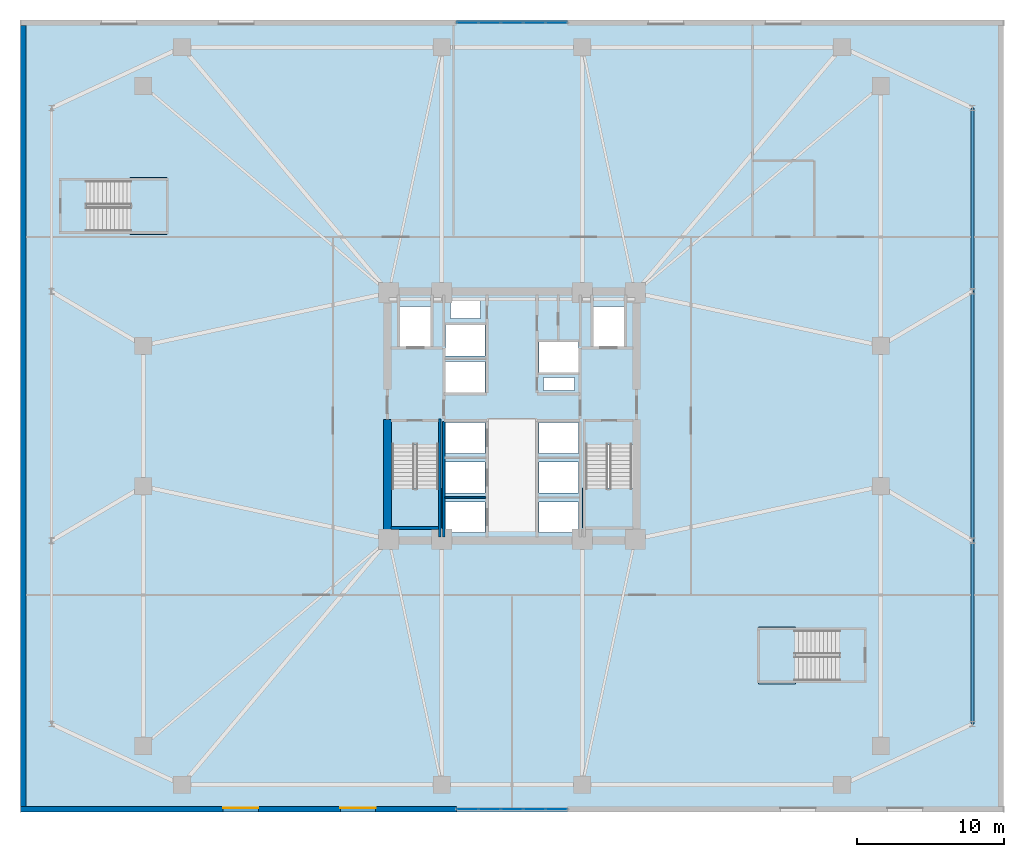
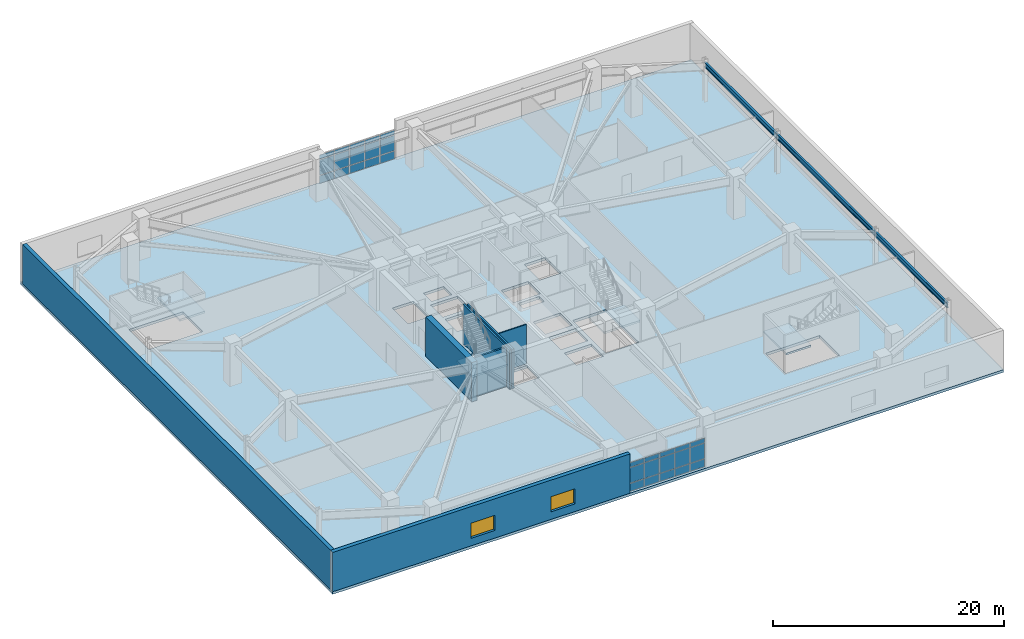
# One storey, part 10 of 21: 30 plates, 7 walls, 5 slabs, 3 beams, 2 windows, 2 openings, 6 elements without a shape of their own.
"""IFC4 building model written with IfcOpenShell, lengths in metres."""

import ifcopenshell
import ifcopenshell.guid

model = None  # the IFC model being written
_history = None  # IfcOwnerHistory: only IFC2X3 demands one
_inside = {}  # id of a spatial element -> (the spatial element, [elements in it])
_under = {}  # id of a project, library or spatial element -> (it, [spatial elements below it])
_declared = {}  # id of a project -> (the project, [libraries it declares])
_typed = {}  # id of a type object -> (the type object, [elements of that type])
_made_of = {}  # id of a material, layer set ... -> (it, [elements and type objects made of it])


def new_model(schema):
    """Start an empty IFC model of exactly this schema.

    Asked for "IFC4X3", IfcOpenShell would pick the latest addendum, in which some entities
    have other attributes; the version numbers below select the first issue.
    IFC2X3 requires an IfcOwnerHistory on every rooted entity: one is made here for all.
    """
    global model, _history
    if schema == "IFC4X3":
        model = ifcopenshell.file(schema_version=(4, 3, 0, 0))
    else:
        model = ifcopenshell.file(schema=schema)
    _inside.clear()
    _under.clear()
    _declared.clear()
    _typed.clear()
    _made_of.clear()
    _history = None
    if model.schema == "IFC2X3":
        org = make("IfcOrganization", Name="unknown")
        user = make(
            "IfcPersonAndOrganization",
            ThePerson=make("IfcPerson", FamilyName="unknown"),
            TheOrganization=org,
        )
        app = make(
            "IfcApplication",
            ApplicationDeveloper=org,
            Version="unknown",
            ApplicationFullName="unknown",
            ApplicationIdentifier="unknown",
        )
        _history = make(
            "IfcOwnerHistory",
            OwningUser=user,
            OwningApplication=app,
            ChangeAction="ADDED",
            CreationDate=0,
        )
    return model


def make(cls, **values):
    """One entity of the class cls with the attributes given. An attribute that is None is left unset."""
    return model.create_entity(
        cls, **{name: value for name, value in values.items() if value is not None}
    )


def rooted(cls, **values):
    """An entity with a GlobalId (a new one), such as an element, a storey or a relation."""
    return make(cls, GlobalId=ifcopenshell.guid.new(), OwnerHistory=_history, **values)


def si_unit(unit_type, name, prefix=None):
    """IfcSIUnit, for example si_unit("LENGTHUNIT", "METRE", prefix="MILLI")."""
    return make("IfcSIUnit", UnitType=unit_type, Prefix=prefix, Name=name)


def assignment(units):
    """IfcUnitAssignment: the units of a project."""
    return None if units is None else make("IfcUnitAssignment", Units=units)


def point(xyz):
    """IfcCartesianPoint."""
    return None if xyz is None else make("IfcCartesianPoint", Coordinates=xyz)


def direction(xyz):
    """IfcDirection."""
    return None if xyz is None else make("IfcDirection", DirectionRatios=xyz)


def frame(location, z_axis=None, x_axis=None):
    """IfcAxis2Placement3D, a coordinate frame: its origin and axes. An axis left out is left unset."""
    return make(
        "IfcAxis2Placement3D",
        Location=point(location),
        Axis=direction(z_axis),
        RefDirection=direction(x_axis),
    )


def frame_2d(location, x_axis=None):
    """IfcAxis2Placement2D, a coordinate frame in the plane: its origin and x axis."""
    return make(
        "IfcAxis2Placement2D", Location=point(location), RefDirection=direction(x_axis)
    )


def origin():
    """The frame at (0, 0, 0) with its axes left unset."""
    return frame((0.0, 0.0, 0.0))


def origin_2d():
    """The frame at (0, 0) in the plane with its x axis left unset."""
    return frame_2d((0.0, 0.0))


def place(relative_to, where):
    """IfcLocalPlacement: puts the frame where relative to a parent placement (None: the world)."""
    return make(
        "IfcLocalPlacement", PlacementRelTo=relative_to, RelativePlacement=where
    )


def context(
    kind, dimensions, precision=None, world=None, true_north=None, identifier=None
):
    """IfcGeometricRepresentationContext, for example the 3D "Model" context."""
    return make(
        "IfcGeometricRepresentationContext",
        ContextIdentifier=identifier,
        ContextType=kind,
        CoordinateSpaceDimension=dimensions,
        Precision=precision,
        WorldCoordinateSystem=world,
        TrueNorth=true_north,
    )


def subcontext(parent, identifier, kind, view, scale=None):
    """IfcGeometricRepresentationSubContext, for example "Body" below "Model"."""
    return make(
        "IfcGeometricRepresentationSubContext",
        ContextIdentifier=identifier,
        ContextType=kind,
        ParentContext=parent,
        TargetScale=scale,
        TargetView=view,
    )


def project(units=None, contexts=None):
    """IfcProject with its units and contexts."""
    return rooted(
        "IfcProject",
        Name="project",
        RepresentationContexts=contexts,
        UnitsInContext=assignment(units),
    )


def spatial(cls, under=None, at=None, **own):
    """A site, building, storey or space (cls), placed at a placement, below another one or the project."""
    s = rooted(cls, ObjectPlacement=at, **own)
    if under is not None:
        _under.setdefault(under.id(), (under, []))[1].append(s)
    return s


def polyline(points):
    """IfcPolyline through the points."""
    return make("IfcPolyline", Points=[point(p) for p in points])


def profile(cls, at=None, kind="AREA", **sizes):
    """A parametric profile (cls). Its sizes go by their IFC names, for example OverallWidth=200.0."""
    return make(cls, ProfileType=kind, Position=at, **sizes)


def rectangle(**sizes):
    """IfcRectangleProfileDef."""
    return profile("IfcRectangleProfileDef", **sizes)


def i_section(**sizes):
    """IfcIShapeProfileDef."""
    return profile("IfcIShapeProfileDef", **sizes)


def outline(outer, holes=None, kind="AREA"):
    """IfcArbitraryClosedProfileDef: a profile drawn as a closed curve; with holes, ...WithVoids."""
    if holes is None:
        return make("IfcArbitraryClosedProfileDef", ProfileType=kind, OuterCurve=outer)
    return make(
        "IfcArbitraryProfileDefWithVoids",
        ProfileType=kind,
        OuterCurve=outer,
        InnerCurves=holes,
    )


def extrude(swept, where, along, depth):
    """IfcExtrudedAreaSolid: the profile swept, set in the frame where, extruded along a direction by depth."""
    return make(
        "IfcExtrudedAreaSolid",
        SweptArea=swept,
        Position=where,
        ExtrudedDirection=direction(along),
        Depth=depth,
    )


def shape(context_of_items, identifier, shape_type, items):
    """IfcShapeRepresentation: the items that make up one representation, for example the "Body"."""
    return make(
        "IfcShapeRepresentation",
        ContextOfItems=context_of_items,
        RepresentationIdentifier=identifier,
        RepresentationType=shape_type,
        Items=items,
    )


def material(Name=None, Category=None):
    """IfcMaterial."""
    return make("IfcMaterial", Name=Name, Category=Category)


def layer(
    of_material, thickness, ventilated=None, Name=None, Category=None, Priority=None
):
    """IfcMaterialLayer: one layer of a wall or slab, of a material (None: an air gap)."""
    return make(
        "IfcMaterialLayer",
        Material=of_material,
        LayerThickness=thickness,
        IsVentilated=ventilated,
        Name=Name,
        Category=Category,
        Priority=Priority,
    )


def layer_set(layers, Name=None):
    """IfcMaterialLayerSet."""
    return make("IfcMaterialLayerSet", MaterialLayers=layers, LayerSetName=Name)


def material_profile(
    of_material, cross_section, Name=None, Category=None, Priority=None
):
    """IfcMaterialProfile: a cross section and its material."""
    return make(
        "IfcMaterialProfile",
        Name=Name,
        Material=of_material,
        Profile=cross_section,
        Priority=Priority,
        Category=Category,
    )


def profile_set(profiles, Name=None, composite=None):
    """IfcMaterialProfileSet."""
    return make(
        "IfcMaterialProfileSet",
        Name=Name,
        MaterialProfiles=profiles,
        CompositeProfile=composite,
    )


def made_of(thing, what):
    """Note that an element or type object is made of a material, layer set ...; save() writes the relation."""
    if what is not None:
        _made_of.setdefault(what.id(), (what, []))[1].append(thing)
    return thing


def type_object(cls, material=None, **own):
    """A type object (cls), such as IfcWallType, which elements share."""
    return made_of(rooted(cls, **own), material)


def element(
    cls,
    number,
    at=None,
    inside=None,
    cuts=None,
    type_object=None,
    material=None,
    context=None,
    identifier="Body",
    shape_type=None,
    held_by="IfcProductDefinitionShape",
    body=None,
    shapes=None,
    **own,
):
    """One element of the class cls, such as IfcWall. Its Tag is "e" and its number.

    at: its placement. inside: the storey or other place that contains it. cuts: it is an
    opening in that element (IfcRelVoidsElement). A single representation is given by context,
    identifier, shape_type and body (its items); several are given by shapes. held_by: the class
    of the entity that holds the representations. save() writes the other relations.
    """
    e = rooted(cls, Tag="e%d" % number, ObjectPlacement=at, **own)
    if body is not None:
        shapes = [shape(context, identifier, shape_type, body)]
    if shapes is not None:
        e.Representation = make(held_by, Representations=shapes)
    if inside is not None:
        _inside.setdefault(inside.id(), (inside, []))[1].append(e)
    if cuts is not None:
        rooted(
            "IfcRelVoidsElement", RelatingBuildingElement=cuts, RelatedOpeningElement=e
        )
    if type_object is not None:
        _typed.setdefault(type_object.id(), (type_object, []))[1].append(e)
    return made_of(e, material)


def fill(opening, filler):
    """IfcRelFillsElement: the door or window that sits in an opening."""
    return rooted(
        "IfcRelFillsElement",
        RelatingOpeningElement=opening,
        RelatedBuildingElement=filler,
    )


def aggregate(whole, parts):
    """IfcRelAggregates: a whole, such as a stair, and the parts it consists of."""
    return rooted("IfcRelAggregates", RelatingObject=whole, RelatedObjects=parts)


def save(model, path):
    """Write the relations noted so far, then the file.

    IfcRelAggregates (storeys below a building ...), IfcRelContainedInSpatialStructure (elements
    in a storey), IfcRelDefinesByType, IfcRelAssociatesMaterial and IfcRelDeclares: one each for
    every whole, place, type object, material and project.
    """
    for whole, parts in _under.values():
        aggregate(whole, parts)
    for where, things in _inside.values():
        rooted(
            "IfcRelContainedInSpatialStructure",
            RelatedElements=things,
            RelatingStructure=where,
        )
    for kind, things in _typed.values():
        rooted("IfcRelDefinesByType", RelatedObjects=things, RelatingType=kind)
    for what, things in _made_of.values():
        rooted("IfcRelAssociatesMaterial", RelatedObjects=things, RelatingMaterial=what)
    for by, libraries in _declared.values():
        rooted("IfcRelDeclares", RelatingContext=by, RelatedDefinitions=libraries)
    model.write(path)


model = new_model("IFC4")

# Units and contexts
model_context = context("Model", 3, precision=1e-05, world=origin(), true_north=direction((0.0, 1.0)))
body_context = subcontext(model_context, "Body", "Model", "MODEL_VIEW")
ifc_project = project(units=[si_unit("LENGTHUNIT", "METRE"), si_unit("AREAUNIT", "SQUARE_METRE"), si_unit("VOLUMEUNIT", "CUBIC_METRE"), si_unit("PLANEANGLEUNIT", "RADIAN"), si_unit("MASSUNIT", "GRAM", prefix="KILO")], contexts=[model_context])

# Site, building, storey
site_placement = place(None, origin())
site = spatial("IfcSite", under=ifc_project, at=site_placement, CompositionType="ELEMENT")
building_placement = place(site_placement, origin())
building = spatial("IfcBuilding", under=site, at=building_placement, Name="Cairnveth Concourse Tower", CompositionType="ELEMENT")
storey_placement = place(building_placement, frame((0.0, 0.0, 14.5)))
storey = spatial("IfcBuildingStorey", under=building, at=storey_placement, Name="L03", CompositionType="ELEMENT", Elevation=14.5)

# Beams
ifc_material_1 = material(Name="Steel Grade 350", Category="steel")
ifc_material_profile = material_profile(ifc_material_1, i_section(OverallWidth=0.208984375, OverallDepth=0.532958984375, WebThickness=0.01025390625, FlangeThickness=0.015625, FilletRadius=0.013916015625, at=origin_2d()), Name="530UB92.4")
ifc_profile_set = profile_set([ifc_material_profile], Name="Steel Grade 350")
beam_type = type_object("IfcBeamType", Name="PODIUM EDGE SPANDREL 530UB92.4", PredefinedType="SPANDREL", material=ifc_profile_set)
beam_1_placement = place(storey_placement, frame((83.39990234375, 18.0, 3.883544921875), z_axis=(0.0, 1.0, 0.0), x_axis=(-1.0, 0.0, 0.0)))
element("IfcBeam", 1, at=beam_1_placement, inside=storey, type_object=beam_type, Name="Beam PSP-E1 L03", PredefinedType="SPANDREL", context=body_context, shape_type="SweptSolid", body=[
    extrude(i_section(OverallWidth=0.208984375, OverallDepth=0.532958984375, WebThickness=0.01025390625, FlangeThickness=0.015625, FilletRadius=0.013916015625, at=origin_2d()), origin(), (0.0, 0.0, 1.0), 12.5),
])
beam_2_placement = place(storey_placement, frame((83.39990234375, 30.5, 3.883544921875), z_axis=(0.0, 1.0, 0.0), x_axis=(-1.0, 0.0, 0.0)))
element("IfcBeam", 2, at=beam_2_placement, inside=storey, type_object=beam_type, Name="Beam PSP-E2 L03", PredefinedType="SPANDREL", context=body_context, shape_type="SweptSolid", body=[
    extrude(i_section(OverallWidth=0.208984375, OverallDepth=0.532958984375, WebThickness=0.01025390625, FlangeThickness=0.015625, FilletRadius=0.013916015625, at=origin_2d()), origin(), (0.0, 0.0, 1.0), 17.0),
])
beam_3_placement = place(storey_placement, frame((83.39990234375, 47.5, 3.883544921875), z_axis=(0.0, 1.0, 0.0), x_axis=(-1.0, 0.0, 0.0)))
element("IfcBeam", 3, at=beam_3_placement, inside=storey, type_object=beam_type, Name="Beam PSP-E3 L03", PredefinedType="SPANDREL", context=body_context, shape_type="SweptSolid", body=[
    extrude(i_section(OverallWidth=0.208984375, OverallDepth=0.532958984375, WebThickness=0.01025390625, FlangeThickness=0.015625, FilletRadius=0.013916015625, at=origin_2d()), origin(), (0.0, 0.0, 1.0), 12.5),
])

# Slab
ifc_material_2 = material(Name="Concrete N50 (50 MPa)", Category="concrete")
ifc_layer_1 = layer(ifc_material_2, 0.280029296875)
ifc_layer_set_1 = layer_set([ifc_layer_1], Name="Concrete N50 (50 MPa)")
slab_type_1 = type_object("IfcSlabType", Name="BASEMENT SUSPENDED SLAB 280", PredefinedType="FLOOR", material=ifc_layer_set_1)
slab_1_placement = place(storey_placement, frame((0.0, 0.0, -0.280029296875)))
element("IfcSlab", 4, at=slab_1_placement, inside=storey, type_object=slab_type_1, Name="Podium Floor Slab L03", PredefinedType="FLOOR", context=body_context, shape_type="SweptSolid", body=[
    extrude(outline(polyline([(18.5, 12.0), (85.5, 12.0), (85.5, 66.0), (18.5, 66.0), (18.5, 12.0)]), holes=[polyline([(43.760009765625, 31.360107421875), (47.06005859375, 31.360107421875), (47.06005859375, 37.0400390625), (43.760009765625, 37.0400390625), (43.760009765625, 31.360107421875)]), polyline([(56.93994140625, 31.360107421875), (60.239990234375, 31.360107421875), (60.239990234375, 37.0400390625), (56.93994140625, 37.0400390625), (56.93994140625, 31.360107421875)]), polyline([(23.010009765625, 51.60009765625), (28.39990234375, 51.60009765625), (28.39990234375, 55.0400390625), (23.010009765625, 55.0400390625), (23.010009765625, 51.60009765625)]), polyline([(74.2900390625, 24.39990234375), (68.89990234375, 24.39990234375), (68.89990234375, 20.9599609375), (74.2900390625, 20.9599609375), (74.2900390625, 24.39990234375)]), polyline([(44.3701171875, 43.75), (46.469970703125, 43.75), (46.469970703125, 46.449951171875), (44.3701171875, 46.449951171875), (44.3701171875, 43.75)]), polyline([(57.530029296875, 43.75), (59.6298828125, 43.75), (59.6298828125, 46.449951171875), (57.530029296875, 46.449951171875), (57.530029296875, 43.75)]), polyline([(47.449951171875, 31.050048828125), (50.14990234375, 31.050048828125), (50.14990234375, 33.14990234375), (47.449951171875, 33.14990234375), (47.449951171875, 31.050048828125)]), polyline([(47.449951171875, 33.75), (50.14990234375, 33.75), (50.14990234375, 35.85009765625), (47.449951171875, 35.85009765625), (47.449951171875, 33.75)]), polyline([(47.449951171875, 36.449951171875), (50.14990234375, 36.449951171875), (50.14990234375, 38.550048828125), (47.449951171875, 38.550048828125), (47.449951171875, 36.449951171875)]), polyline([(53.85009765625, 31.050048828125), (56.550048828125, 31.050048828125), (56.550048828125, 33.14990234375), (53.85009765625, 33.14990234375), (53.85009765625, 31.050048828125)]), polyline([(53.85009765625, 33.75), (56.550048828125, 33.75), (56.550048828125, 35.85009765625), (53.85009765625, 35.85009765625), (53.85009765625, 33.75)]), polyline([(53.85009765625, 36.449951171875), (56.550048828125, 36.449951171875), (56.550048828125, 38.550048828125), (53.85009765625, 38.550048828125), (53.85009765625, 36.449951171875)]), polyline([(47.449951171875, 40.60009765625), (50.14990234375, 40.60009765625), (50.14990234375, 42.699951171875), (47.449951171875, 42.699951171875), (47.449951171875, 40.60009765625)]), polyline([(47.449951171875, 43.10009765625), (50.14990234375, 43.10009765625), (50.14990234375, 45.199951171875), (47.449951171875, 45.199951171875), (47.449951171875, 43.10009765625)]), polyline([(53.85009765625, 41.949951171875), (56.550048828125, 41.949951171875), (56.550048828125, 44.050048828125), (53.85009765625, 44.050048828125), (53.85009765625, 41.949951171875)]), polyline([(47.800048828125, 45.64990234375), (49.85009765625, 45.64990234375), (49.85009765625, 47.050048828125), (47.800048828125, 47.050048828125), (47.800048828125, 45.64990234375)]), polyline([(54.14990234375, 40.75), (56.25, 40.75), (56.25, 41.6201171875), (54.14990234375, 41.6201171875), (54.14990234375, 40.75)])]), origin(), (0.0, 0.0, 1.0), 0.280029296875),
])

# Curtain wall, plates
ifc_material_3 = material(Name="Architectural Bronze Anodised Aluminium 6063-T6", Category="aluminium")
ifc_layer_2 = layer(ifc_material_3, 0.340087890625)
ifc_layer_set_2 = layer_set([ifc_layer_2], Name="Architectural Bronze Anodised Aluminium 6063-T6")
curtain_wall_type = type_object("IfcCurtainWallType", Name="BALLROOM FOYER UNITISED CURTAIN WALL", PredefinedType="USERDEFINED", material=ifc_layer_set_2)
curtain_wall_1_placement = place(storey_placement, origin())
curtain_wall_1 = element("IfcCurtainWall", 5, at=curtain_wall_1_placement, inside=storey, type_object=curtain_wall_type, Name="Curtain Wall CW-L03-N1", ObjectType="UNITISED FACADE", PredefinedType="USERDEFINED")
ifc_material_4 = material(Name="Double Glazed Low-E Clear Glass", Category="glass")
ifc_layer_3 = layer(ifc_material_4, 0.028076171875)
ifc_layer_set_3 = layer_set([ifc_layer_3], Name="Double Glazed Low-E Clear Glass")
plate_type = type_object("IfcPlateType", Name="DOUBLE GLAZED LOW-E CURTAIN PANEL 28", PredefinedType="CURTAIN_PANEL", material=ifc_layer_set_3)
plate_1_placement = place(storey_placement, frame((48.96435546875, 65.81005859375, 0.06494140625), z_axis=(0.0, 0.0, 1.0), x_axis=(1.0, 0.0, 0.0)))
plate_1 = element("IfcPlate", 6, at=plate_1_placement, type_object=plate_type, Name="CWS3 panel 1.1", PredefinedType="CURTAIN_PANEL", context=body_context, shape_type="SweptSolid", body=[
    extrude(rectangle(XDim=1.428466796875, YDim=0.028076171875, at=origin_2d()), origin(), (0.0, 0.0, 1.0), 0.802490234375),
])
plate_2_placement = place(storey_placement, frame((48.96435546875, 65.81005859375, 0.9326171875), z_axis=(0.0, 0.0, 1.0), x_axis=(1.0, 0.0, 0.0)))
plate_2 = element("IfcPlate", 7, at=plate_2_placement, type_object=plate_type, Name="CWS3 panel 1.2", PredefinedType="CURTAIN_PANEL", context=body_context, shape_type="SweptSolid", body=[
    extrude(rectangle(XDim=1.428466796875, YDim=0.028076171875, at=origin_2d()), origin(), (0.0, 0.0, 1.0), 1.611083984375),
])
plate_3_placement = place(storey_placement, frame((48.96435546875, 65.81005859375, 2.6083984375), z_axis=(0.0, 0.0, 1.0), x_axis=(1.0, 0.0, 0.0)))
plate_3 = element("IfcPlate", 8, at=plate_3_placement, type_object=plate_type, Name="CWS3 panel 1.3", PredefinedType="CURTAIN_PANEL", context=body_context, shape_type="SweptSolid", body=[
    extrude(rectangle(XDim=1.428466796875, YDim=0.028076171875, at=origin_2d()), origin(), (0.0, 0.0, 1.0), 0.452392578125),
])
plate_4_placement = place(storey_placement, frame((50.47412109375, 65.81005859375, 0.06494140625), z_axis=(0.0, 0.0, 1.0), x_axis=(1.0, 0.0, 0.0)))
plate_4 = element("IfcPlate", 9, at=plate_4_placement, type_object=plate_type, Name="CWS3 panel 2.1", PredefinedType="CURTAIN_PANEL", context=body_context, shape_type="SweptSolid", body=[
    extrude(rectangle(XDim=1.4609375, YDim=0.028076171875, at=origin_2d()), origin(), (0.0, 0.0, 1.0), 0.802490234375),
])
plate_5_placement = place(storey_placement, frame((50.47412109375, 65.81005859375, 0.9326171875), z_axis=(0.0, 0.0, 1.0), x_axis=(1.0, 0.0, 0.0)))
plate_5 = element("IfcPlate", 10, at=plate_5_placement, type_object=plate_type, Name="CWS3 panel 2.2", PredefinedType="CURTAIN_PANEL", context=body_context, shape_type="SweptSolid", body=[
    extrude(rectangle(XDim=1.4609375, YDim=0.028076171875, at=origin_2d()), origin(), (0.0, 0.0, 1.0), 1.611083984375),
])
plate_6_placement = place(storey_placement, frame((50.47412109375, 65.81005859375, 2.6083984375), z_axis=(0.0, 0.0, 1.0), x_axis=(1.0, 0.0, 0.0)))
plate_6 = element("IfcPlate", 11, at=plate_6_placement, type_object=plate_type, Name="CWS3 panel 2.3", PredefinedType="CURTAIN_PANEL", context=body_context, shape_type="SweptSolid", body=[
    extrude(rectangle(XDim=1.4609375, YDim=0.028076171875, at=origin_2d()), origin(), (0.0, 0.0, 1.0), 0.452392578125),
])
plate_7_placement = place(storey_placement, frame((52.0, 65.81005859375, 0.06494140625), z_axis=(0.0, 0.0, 1.0), x_axis=(1.0, 0.0, 0.0)))
plate_7 = element("IfcPlate", 12, at=plate_7_placement, type_object=plate_type, Name="CWS3 panel 3.1", PredefinedType="CURTAIN_PANEL", context=body_context, shape_type="SweptSolid", body=[
    extrude(rectangle(XDim=1.4609375, YDim=0.028076171875, at=origin_2d()), origin(), (0.0, 0.0, 1.0), 0.802490234375),
])
plate_8_placement = place(storey_placement, frame((52.0, 65.81005859375, 0.9326171875), z_axis=(0.0, 0.0, 1.0), x_axis=(1.0, 0.0, 0.0)))
plate_8 = element("IfcPlate", 13, at=plate_8_placement, type_object=plate_type, Name="CWS3 panel 3.2", PredefinedType="CURTAIN_PANEL", context=body_context, shape_type="SweptSolid", body=[
    extrude(rectangle(XDim=1.4609375, YDim=0.028076171875, at=origin_2d()), origin(), (0.0, 0.0, 1.0), 1.611083984375),
])
plate_9_placement = place(storey_placement, frame((52.0, 65.81005859375, 2.6083984375), z_axis=(0.0, 0.0, 1.0), x_axis=(1.0, 0.0, 0.0)))
plate_9 = element("IfcPlate", 14, at=plate_9_placement, type_object=plate_type, Name="CWS3 panel 3.3", PredefinedType="CURTAIN_PANEL", context=body_context, shape_type="SweptSolid", body=[
    extrude(rectangle(XDim=1.4609375, YDim=0.028076171875, at=origin_2d()), origin(), (0.0, 0.0, 1.0), 0.452392578125),
])
plate_10_placement = place(storey_placement, frame((53.52587890625, 65.81005859375, 0.06494140625), z_axis=(0.0, 0.0, 1.0), x_axis=(1.0, 0.0, 0.0)))
plate_10 = element("IfcPlate", 15, at=plate_10_placement, type_object=plate_type, Name="CWS3 panel 4.1", PredefinedType="CURTAIN_PANEL", context=body_context, shape_type="SweptSolid", body=[
    extrude(rectangle(XDim=1.4609375, YDim=0.028076171875, at=origin_2d()), origin(), (0.0, 0.0, 1.0), 0.802490234375),
])
plate_11_placement = place(storey_placement, frame((53.52587890625, 65.81005859375, 0.9326171875), z_axis=(0.0, 0.0, 1.0), x_axis=(1.0, 0.0, 0.0)))
plate_11 = element("IfcPlate", 16, at=plate_11_placement, type_object=plate_type, Name="CWS3 panel 4.2", PredefinedType="CURTAIN_PANEL", context=body_context, shape_type="SweptSolid", body=[
    extrude(rectangle(XDim=1.4609375, YDim=0.028076171875, at=origin_2d()), origin(), (0.0, 0.0, 1.0), 1.611083984375),
])
plate_12_placement = place(storey_placement, frame((53.52587890625, 65.81005859375, 2.6083984375), z_axis=(0.0, 0.0, 1.0), x_axis=(1.0, 0.0, 0.0)))
plate_12 = element("IfcPlate", 17, at=plate_12_placement, type_object=plate_type, Name="CWS3 panel 4.3", PredefinedType="CURTAIN_PANEL", context=body_context, shape_type="SweptSolid", body=[
    extrude(rectangle(XDim=1.4609375, YDim=0.028076171875, at=origin_2d()), origin(), (0.0, 0.0, 1.0), 0.452392578125),
])
plate_13_placement = place(storey_placement, frame((55.03564453125, 65.81005859375, 0.06494140625), z_axis=(0.0, 0.0, 1.0), x_axis=(1.0, 0.0, 0.0)))
plate_13 = element("IfcPlate", 18, at=plate_13_placement, type_object=plate_type, Name="CWS3 panel 5.1", PredefinedType="CURTAIN_PANEL", context=body_context, shape_type="SweptSolid", body=[
    extrude(rectangle(XDim=1.428466796875, YDim=0.028076171875, at=origin_2d()), origin(), (0.0, 0.0, 1.0), 0.802490234375),
])
plate_14_placement = place(storey_placement, frame((55.03564453125, 65.81005859375, 0.9326171875), z_axis=(0.0, 0.0, 1.0), x_axis=(1.0, 0.0, 0.0)))
plate_14 = element("IfcPlate", 19, at=plate_14_placement, type_object=plate_type, Name="CWS3 panel 5.2", PredefinedType="CURTAIN_PANEL", context=body_context, shape_type="SweptSolid", body=[
    extrude(rectangle(XDim=1.428466796875, YDim=0.028076171875, at=origin_2d()), origin(), (0.0, 0.0, 1.0), 1.611083984375),
])
plate_15_placement = place(storey_placement, frame((55.03564453125, 65.81005859375, 2.6083984375), z_axis=(0.0, 0.0, 1.0), x_axis=(1.0, 0.0, 0.0)))
plate_15 = element("IfcPlate", 20, at=plate_15_placement, type_object=plate_type, Name="CWS3 panel 5.3", PredefinedType="CURTAIN_PANEL", context=body_context, shape_type="SweptSolid", body=[
    extrude(rectangle(XDim=1.428466796875, YDim=0.028076171875, at=origin_2d()), origin(), (0.0, 0.0, 1.0), 0.452392578125),
])
aggregate(curtain_wall_1, [plate_1, plate_2, plate_3, plate_4, plate_5, plate_6, plate_7, plate_8, plate_9, plate_10, plate_11, plate_12, plate_13, plate_14, plate_15])

curtain_wall_2_placement = place(storey_placement, origin())
curtain_wall_2 = element("IfcCurtainWall", 21, at=curtain_wall_2_placement, inside=storey, type_object=curtain_wall_type, Name="Curtain Wall CW-L03-S1", ObjectType="UNITISED FACADE", PredefinedType="USERDEFINED")
plate_16_placement = place(storey_placement, frame((55.03564453125, 12.18994140625, 0.06494140625), z_axis=(0.0, 0.0, 1.0), x_axis=(-1.0, 0.0, 0.0)))
plate_16 = element("IfcPlate", 22, at=plate_16_placement, type_object=plate_type, Name="CWS3 panel 1.1", PredefinedType="CURTAIN_PANEL", context=body_context, shape_type="SweptSolid", body=[
    extrude(rectangle(XDim=1.428466796875, YDim=0.028076171875, at=origin_2d()), origin(), (0.0, 0.0, 1.0), 0.802490234375),
])
plate_17_placement = place(storey_placement, frame((55.03564453125, 12.18994140625, 0.9326171875), z_axis=(0.0, 0.0, 1.0), x_axis=(-1.0, 0.0, 0.0)))
plate_17 = element("IfcPlate", 23, at=plate_17_placement, type_object=plate_type, Name="CWS3 panel 1.2", PredefinedType="CURTAIN_PANEL", context=body_context, shape_type="SweptSolid", body=[
    extrude(rectangle(XDim=1.428466796875, YDim=0.028076171875, at=origin_2d()), origin(), (0.0, 0.0, 1.0), 1.611083984375),
])
plate_18_placement = place(storey_placement, frame((55.03564453125, 12.18994140625, 2.6083984375), z_axis=(0.0, 0.0, 1.0), x_axis=(-1.0, 0.0, 0.0)))
plate_18 = element("IfcPlate", 24, at=plate_18_placement, type_object=plate_type, Name="CWS3 panel 1.3", PredefinedType="CURTAIN_PANEL", context=body_context, shape_type="SweptSolid", body=[
    extrude(rectangle(XDim=1.428466796875, YDim=0.028076171875, at=origin_2d()), origin(), (0.0, 0.0, 1.0), 0.452392578125),
])
plate_19_placement = place(storey_placement, frame((53.52587890625, 12.18994140625, 0.06494140625), z_axis=(0.0, 0.0, 1.0), x_axis=(-1.0, 0.0, 0.0)))
plate_19 = element("IfcPlate", 25, at=plate_19_placement, type_object=plate_type, Name="CWS3 panel 2.1", PredefinedType="CURTAIN_PANEL", context=body_context, shape_type="SweptSolid", body=[
    extrude(rectangle(XDim=1.4609375, YDim=0.028076171875, at=origin_2d()), origin(), (0.0, 0.0, 1.0), 0.802490234375),
])
plate_20_placement = place(storey_placement, frame((53.52587890625, 12.18994140625, 0.9326171875), z_axis=(0.0, 0.0, 1.0), x_axis=(-1.0, 0.0, 0.0)))
plate_20 = element("IfcPlate", 26, at=plate_20_placement, type_object=plate_type, Name="CWS3 panel 2.2", PredefinedType="CURTAIN_PANEL", context=body_context, shape_type="SweptSolid", body=[
    extrude(rectangle(XDim=1.4609375, YDim=0.028076171875, at=origin_2d()), origin(), (0.0, 0.0, 1.0), 1.611083984375),
])
plate_21_placement = place(storey_placement, frame((53.52587890625, 12.18994140625, 2.6083984375), z_axis=(0.0, 0.0, 1.0), x_axis=(-1.0, 0.0, 0.0)))
plate_21 = element("IfcPlate", 27, at=plate_21_placement, type_object=plate_type, Name="CWS3 panel 2.3", PredefinedType="CURTAIN_PANEL", context=body_context, shape_type="SweptSolid", body=[
    extrude(rectangle(XDim=1.4609375, YDim=0.028076171875, at=origin_2d()), origin(), (0.0, 0.0, 1.0), 0.452392578125),
])
plate_22_placement = place(storey_placement, frame((52.0, 12.18994140625, 0.06494140625), z_axis=(0.0, 0.0, 1.0), x_axis=(-1.0, 0.0, 0.0)))
plate_22 = element("IfcPlate", 28, at=plate_22_placement, type_object=plate_type, Name="CWS3 panel 3.1", PredefinedType="CURTAIN_PANEL", context=body_context, shape_type="SweptSolid", body=[
    extrude(rectangle(XDim=1.4609375, YDim=0.028076171875, at=origin_2d()), origin(), (0.0, 0.0, 1.0), 0.802490234375),
])
plate_23_placement = place(storey_placement, frame((52.0, 12.18994140625, 0.9326171875), z_axis=(0.0, 0.0, 1.0), x_axis=(-1.0, 0.0, 0.0)))
plate_23 = element("IfcPlate", 29, at=plate_23_placement, type_object=plate_type, Name="CWS3 panel 3.2", PredefinedType="CURTAIN_PANEL", context=body_context, shape_type="SweptSolid", body=[
    extrude(rectangle(XDim=1.4609375, YDim=0.028076171875, at=origin_2d()), origin(), (0.0, 0.0, 1.0), 1.611083984375),
])
plate_24_placement = place(storey_placement, frame((52.0, 12.18994140625, 2.6083984375), z_axis=(0.0, 0.0, 1.0), x_axis=(-1.0, 0.0, 0.0)))
plate_24 = element("IfcPlate", 30, at=plate_24_placement, type_object=plate_type, Name="CWS3 panel 3.3", PredefinedType="CURTAIN_PANEL", context=body_context, shape_type="SweptSolid", body=[
    extrude(rectangle(XDim=1.4609375, YDim=0.028076171875, at=origin_2d()), origin(), (0.0, 0.0, 1.0), 0.452392578125),
])
plate_25_placement = place(storey_placement, frame((50.47412109375, 12.18994140625, 0.06494140625), z_axis=(0.0, 0.0, 1.0), x_axis=(-1.0, 0.0, 0.0)))
plate_25 = element("IfcPlate", 31, at=plate_25_placement, type_object=plate_type, Name="CWS3 panel 4.1", PredefinedType="CURTAIN_PANEL", context=body_context, shape_type="SweptSolid", body=[
    extrude(rectangle(XDim=1.4609375, YDim=0.028076171875, at=origin_2d()), origin(), (0.0, 0.0, 1.0), 0.802490234375),
])
plate_26_placement = place(storey_placement, frame((50.47412109375, 12.18994140625, 0.9326171875), z_axis=(0.0, 0.0, 1.0), x_axis=(-1.0, 0.0, 0.0)))
plate_26 = element("IfcPlate", 32, at=plate_26_placement, type_object=plate_type, Name="CWS3 panel 4.2", PredefinedType="CURTAIN_PANEL", context=body_context, shape_type="SweptSolid", body=[
    extrude(rectangle(XDim=1.4609375, YDim=0.028076171875, at=origin_2d()), origin(), (0.0, 0.0, 1.0), 1.611083984375),
])
plate_27_placement = place(storey_placement, frame((50.47412109375, 12.18994140625, 2.6083984375), z_axis=(0.0, 0.0, 1.0), x_axis=(-1.0, 0.0, 0.0)))
plate_27 = element("IfcPlate", 33, at=plate_27_placement, type_object=plate_type, Name="CWS3 panel 4.3", PredefinedType="CURTAIN_PANEL", context=body_context, shape_type="SweptSolid", body=[
    extrude(rectangle(XDim=1.4609375, YDim=0.028076171875, at=origin_2d()), origin(), (0.0, 0.0, 1.0), 0.452392578125),
])
plate_28_placement = place(storey_placement, frame((48.96435546875, 12.18994140625, 0.06494140625), z_axis=(0.0, 0.0, 1.0), x_axis=(-1.0, 0.0, 0.0)))
plate_28 = element("IfcPlate", 34, at=plate_28_placement, type_object=plate_type, Name="CWS3 panel 5.1", PredefinedType="CURTAIN_PANEL", context=body_context, shape_type="SweptSolid", body=[
    extrude(rectangle(XDim=1.428466796875, YDim=0.028076171875, at=origin_2d()), origin(), (0.0, 0.0, 1.0), 0.802490234375),
])
plate_29_placement = place(storey_placement, frame((48.96435546875, 12.18994140625, 0.9326171875), z_axis=(0.0, 0.0, 1.0), x_axis=(-1.0, 0.0, 0.0)))
plate_29 = element("IfcPlate", 35, at=plate_29_placement, type_object=plate_type, Name="CWS3 panel 5.2", PredefinedType="CURTAIN_PANEL", context=body_context, shape_type="SweptSolid", body=[
    extrude(rectangle(XDim=1.428466796875, YDim=0.028076171875, at=origin_2d()), origin(), (0.0, 0.0, 1.0), 1.611083984375),
])
plate_30_placement = place(storey_placement, frame((48.96435546875, 12.18994140625, 2.6083984375), z_axis=(0.0, 0.0, 1.0), x_axis=(-1.0, 0.0, 0.0)))
plate_30 = element("IfcPlate", 36, at=plate_30_placement, type_object=plate_type, Name="CWS3 panel 5.3", PredefinedType="CURTAIN_PANEL", context=body_context, shape_type="SweptSolid", body=[
    extrude(rectangle(XDim=1.428466796875, YDim=0.028076171875, at=origin_2d()), origin(), (0.0, 0.0, 1.0), 0.452392578125),
])
aggregate(curtain_wall_2, [plate_16, plate_17, plate_18, plate_19, plate_20, plate_21, plate_22, plate_23, plate_24, plate_25, plate_26, plate_27, plate_28, plate_29, plate_30])

# Stair, slab
ifc_material_5 = material(Name="Precast concrete N50 (50 MPa)", Category="concrete")
stair_type_1 = type_object("IfcStairType", Name="CORE DOG-LEG FIRE STAIR 1500", PredefinedType="HALF_TURN_STAIR", material=ifc_material_5)
stair_1_placement = place(storey_placement, origin())
stair_1 = element("IfcStair", 37, at=stair_1_placement, inside=storey, type_object=stair_type_1, Name="L03 Fire-Isolated Stair ST-1", PredefinedType="HALF_TURN_STAIR")
ifc_layer_4 = layer(ifc_material_2, 0.199951171875)
ifc_layer_set_4 = layer_set([ifc_layer_4], Name="Concrete N50 (50 MPa)")
slab_type_2 = type_object("IfcSlabType", Name="STAIR HALF LANDING SLAB 200", PredefinedType="LANDING", material=ifc_layer_set_4)
slab_2_placement = place(storey_placement, frame((0.0, 0.0, 2.050048828125)))
slab_2 = element("IfcSlab", 38, at=slab_2_placement, type_object=slab_type_2, Name="ST-1 landing 1", PredefinedType="LANDING", context=body_context, shape_type="SweptSolid", body=[
    extrude(outline(polyline([(43.6201171875, 34.080078125), (43.6201171875, 31.3701171875), (47.199951171875, 31.3701171875), (47.199951171875, 34.080078125), (43.6201171875, 34.080078125)])), origin(), (0.0, 0.0, 1.0), 0.199951171875),
])
aggregate(stair_1, [slab_2])

stair_2_placement = place(storey_placement, origin())
stair_2 = element("IfcStair", 39, at=stair_2_placement, inside=storey, type_object=stair_type_1, Name="L03 Fire-Isolated Stair ST-2", PredefinedType="HALF_TURN_STAIR")
slab_3_placement = place(storey_placement, frame((0.0, 0.0, 2.050048828125)))
slab_3 = element("IfcSlab", 40, at=slab_3_placement, type_object=slab_type_2, Name="ST-2 landing 1", PredefinedType="LANDING", context=body_context, shape_type="SweptSolid", body=[
    extrude(outline(polyline([(56.800048828125, 34.080078125), (56.800048828125, 31.3701171875), (60.3798828125, 31.3701171875), (60.3798828125, 34.080078125), (56.800048828125, 34.080078125)])), origin(), (0.0, 0.0, 1.0), 0.199951171875),
])
aggregate(stair_2, [slab_3])

stair_type_2 = type_object("IfcStairType", Name="PODIUM ESCAPE DOG-LEG STAIR 1650", PredefinedType="HALF_TURN_STAIR", material=ifc_material_5)
stair_3_placement = place(storey_placement, origin())
stair_3 = element("IfcStair", 41, at=stair_3_placement, inside=storey, type_object=stair_type_2, Name="L03 Fire-Isolated Stair ST-P1", PredefinedType="HALF_TURN_STAIR")
slab_4_placement = place(storey_placement, frame((0.0, 0.0, 2.050048828125)))
slab_4 = element("IfcSlab", 42, at=slab_4_placement, type_object=slab_type_2, Name="ST-P1 landing 1", PredefinedType="LANDING", context=body_context, shape_type="SweptSolid", body=[
    extrude(outline(polyline([(25.969970703125, 51.3798828125), (28.47998046875, 51.3798828125), (28.47998046875, 55.260009765625), (25.969970703125, 55.260009765625), (25.969970703125, 51.3798828125)])), origin(), (0.0, 0.0, 1.0), 0.199951171875),
])
aggregate(stair_3, [slab_4])

stair_4_placement = place(storey_placement, origin())
stair_4 = element("IfcStair", 43, at=stair_4_placement, inside=storey, type_object=stair_type_2, Name="L03 Fire-Isolated Stair ST-P2", PredefinedType="HALF_TURN_STAIR")
slab_5_placement = place(storey_placement, frame((0.0, 0.0, 2.050048828125)))
slab_5 = element("IfcSlab", 44, at=slab_5_placement, type_object=slab_type_2, Name="ST-P2 landing 1", PredefinedType="LANDING", context=body_context, shape_type="SweptSolid", body=[
    extrude(outline(polyline([(71.330078125, 24.6201171875), (68.820068359375, 24.6201171875), (68.820068359375, 20.739990234375), (71.330078125, 20.739990234375), (71.330078125, 24.6201171875)])), origin(), (0.0, 0.0, 1.0), 0.199951171875),
])
aggregate(stair_4, [slab_5])

# Walls
ifc_material_6 = material(Name="Concrete N80 (80 MPa)", Category="concrete")
ifc_layer_5 = layer(ifc_material_6, 0.550048828125)
ifc_layer_set_5 = layer_set([ifc_layer_5], Name="Concrete N80 (80 MPa)")
wall_type_1 = type_object("IfcWallType", Name="CORE SHEAR WALL 550", PredefinedType="SHEAR", material=ifc_layer_set_5)
wall_1_placement = place(storey_placement, frame((43.5, 30.764892578125, 0.0), z_axis=(0.0, 0.0, 1.0), x_axis=(0.0, 1.0, 0.0)))
element("IfcWall", 45, at=wall_1_placement, inside=storey, type_object=wall_type_1, Name="Core West Shear Wall S L03", PredefinedType="SHEAR", context=body_context, shape_type="SweptSolid", body=[
    extrude(rectangle(XDim=7.985107421875, YDim=0.550048828125, at=frame_2d((3.99267578125, 0.0))), origin(), (0.0, 0.0, 1.0), 4.14990234375),
])
ifc_layer_6 = layer(ifc_material_2, 0.179931640625)
ifc_layer_set_6 = layer_set([ifc_layer_6], Name="Concrete N50 (50 MPa)")
wall_type_2 = type_object("IfcWallType", Name="FIRE SHAFT WALL 180", PredefinedType="SOLIDWALL", material=ifc_layer_set_6)
wall_2_placement = place(storey_placement, frame((47.35009765625, 30.760009765625, 0.0), z_axis=(0.0, 0.0, 1.0), x_axis=(0.0, 1.0, 0.0)))
element("IfcWall", 46, at=wall_2_placement, inside=storey, type_object=wall_type_2, Name="Interior Wall IW-L03-025", PredefinedType="SOLIDWALL", context=body_context, shape_type="SweptSolid", body=[
    extrude(rectangle(XDim=7.85498046875, YDim=0.179931640625, at=frame_2d((3.927490234375, 0.0))), origin(), (0.0, 0.0, 1.0), 4.14990234375),
])
wall_3_placement = place(storey_placement, frame((43.764892578125, 31.360107421875, 0.0), z_axis=(0.0, 0.0, 1.0), x_axis=(1.0, 0.0, 0.0)))
element("IfcWall", 47, at=wall_3_placement, inside=storey, type_object=wall_type_2, Name="Stair ST-1 Shaft Wall FAR L03", PredefinedType="SOLIDWALL", context=body_context, shape_type="SweptSolid", body=[
    extrude(rectangle(XDim=3.230224609375, YDim=0.179931640625, at=frame_2d((1.615234375, 0.0))), origin(), (0.0, 0.0, 1.0), 4.14990234375),
])
wall_4_placement = place(storey_placement, frame((47.070068359375, 38.780029296875, 0.0), z_axis=(0.0, 0.0, 1.0), x_axis=(0.0, -1.0, 0.0)))
element("IfcWall", 48, at=wall_4_placement, inside=storey, type_object=wall_type_2, Name="Stair ST-1 Shaft Wall RGHT L03", PredefinedType="SOLIDWALL", context=body_context, shape_type="SweptSolid", body=[
    extrude(rectangle(XDim=8.01708984375, YDim=0.179931640625, at=frame_2d((4.008544921875, 0.0))), origin(), (0.0, 0.0, 1.0), 4.14990234375),
])
ifc_material_7 = material(Name="Gypsum Plasterboard Partition", Category="gypsum")
ifc_layer_7 = layer(ifc_material_7, 0.110107421875)
ifc_layer_set_7 = layer_set([ifc_layer_7], Name="Gypsum Plasterboard Partition")
wall_type_3 = type_object("IfcWallType", Name="SHAFT DIVIDER WALL 140", PredefinedType="PARTITIONING", material=ifc_layer_set_7)
wall_5_placement = place(storey_placement, frame((47.425048828125, 33.449951171875, 0.0), z_axis=(0.0, 0.0, 1.0), x_axis=(1.0, 0.0, 0.0)))
element("IfcWall", 49, at=wall_5_placement, inside=storey, type_object=wall_type_3, Name="Interior Wall IW-L03-026", PredefinedType="PARTITIONING", context=body_context, shape_type="SweptSolid", body=[
    extrude(rectangle(XDim=2.7900390625, YDim=0.110107421875, at=frame_2d((1.39501953125, 0.0))), origin(), (0.0, 0.0, 1.0), 4.14990234375),
])

# Wall, openings, windows
ifc_material_8 = material(Name="Hawthorn Red-Ochre Fired Clay Brick Masonry", Category="masonry")
ifc_layer_8 = layer(ifc_material_8, 0.3798828125)
ifc_layer_set_8 = layer_set([ifc_layer_8], Name="Hawthorn Red-Ochre Fired Clay Brick Masonry")
wall_type_4 = type_object("IfcWallType", Name="UPPER PODIUM BRICK WALL 380", PredefinedType="SOLIDWALL", material=ifc_layer_set_8)
wall_6_placement = place(storey_placement, frame((48.199951171875, 12.18994140625, 0.0), z_axis=(0.0, 0.0, 1.0), x_axis=(-1.0, 0.0, 0.0)))
wall_6 = element("IfcWall", 50, at=wall_6_placement, inside=storey, type_object=wall_type_4, Name="Exterior Wall EW-L03-SW", PredefinedType="SOLIDWALL", context=body_context, shape_type="SweptSolid", body=[
    extrude(rectangle(XDim=29.699951171875, YDim=0.3798828125, at=frame_2d((14.85009765625, 0.0))), origin(), (0.0, 0.0, 1.0), 4.14990234375),
])
opening_1_placement = place(wall_6_placement, frame((5.5, 0.0, 0.800048828125)))
opening_1 = element("IfcOpeningElement", 51, at=opening_1_placement, cuts=wall_6, Name="Opening W11", PredefinedType="OPENING", context=body_context, shape_type="SweptSolid", body=[
    extrude(rectangle(XDim=2.39990234375, YDim=1.60009765625, at=frame_2d((1.199951171875, 0.800048828125))), frame((0.0, 0.199951171875, 0.0), z_axis=(0.0, -1.0, 0.0), x_axis=(1.0, 0.0, 0.0)), (0.0, 0.0, 1.0), 0.39990234375),
])
opening_2_placement = place(wall_6_placement, frame((13.5, 0.0, 0.800048828125)))
opening_2 = element("IfcOpeningElement", 52, at=opening_2_placement, cuts=wall_6, Name="Opening W11", PredefinedType="OPENING", context=body_context, shape_type="SweptSolid", body=[
    extrude(rectangle(XDim=2.39990234375, YDim=1.60009765625, at=frame_2d((1.199951171875, 0.800048828125))), frame((0.0, 0.199951171875, 0.0), z_axis=(0.0, -1.0, 0.0), x_axis=(1.0, 0.0, 0.0)), (0.0, 0.0, 1.0), 0.39990234375),
])
window_type = type_object("IfcWindowType", Name="DEEP-SET PODIUM CLERESTORY WINDOW 2400X1600", PartitioningType="DOUBLE_PANEL_VERTICAL", PredefinedType="WINDOW", material=ifc_material_4)
window_1_placement = place(opening_1_placement, origin())
window_1 = element("IfcWindow", 53, at=window_1_placement, inside=storey, type_object=window_type, Name="WIN-L03-SW-1", OverallHeight=1.60009765625, OverallWidth=2.39990234375, PartitioningType="SINGLE_PANEL", PredefinedType="WINDOW", context=body_context, shape_type="SweptSolid", body=[
    extrude(rectangle(XDim=2.39990234375, YDim=1.60009765625, at=frame_2d((1.199951171875, 0.800048828125))), frame((0.0, -0.050048828125, 0.0), z_axis=(0.0, -1.0, 0.0), x_axis=(1.0, 0.0, 0.0)), (0.0, 0.0, 1.0), 0.06005859375),
])
fill(opening_1, window_1)
window_2_placement = place(opening_2_placement, origin())
window_2 = element("IfcWindow", 54, at=window_2_placement, inside=storey, type_object=window_type, Name="WIN-L03-SW-2", OverallHeight=1.60009765625, OverallWidth=2.39990234375, PartitioningType="SINGLE_PANEL", PredefinedType="WINDOW", context=body_context, shape_type="SweptSolid", body=[
    extrude(rectangle(XDim=2.39990234375, YDim=1.60009765625, at=frame_2d((1.199951171875, 0.800048828125))), frame((0.0, -0.050048828125, 0.0), z_axis=(0.0, -1.0, 0.0), x_axis=(1.0, 0.0, 0.0)), (0.0, 0.0, 1.0), 0.06005859375),
])
fill(opening_2, window_2)

# Wall
wall_7_placement = place(storey_placement, frame((18.68994140625, 12.364990234375, 0.0), z_axis=(0.0, 0.0, 1.0), x_axis=(0.0, 1.0, 0.0)))
element("IfcWall", 55, at=wall_7_placement, inside=storey, type_object=wall_type_4, Name="Exterior Wall EW-L03-W", PredefinedType="SOLIDWALL", context=body_context, shape_type="SweptSolid", body=[
    extrude(rectangle(XDim=53.27001953125, YDim=0.3798828125, at=frame_2d((26.635009765625, 0.0))), origin(), (0.0, 0.0, 1.0), 4.14990234375),
])

save(model, "model.ifc")
